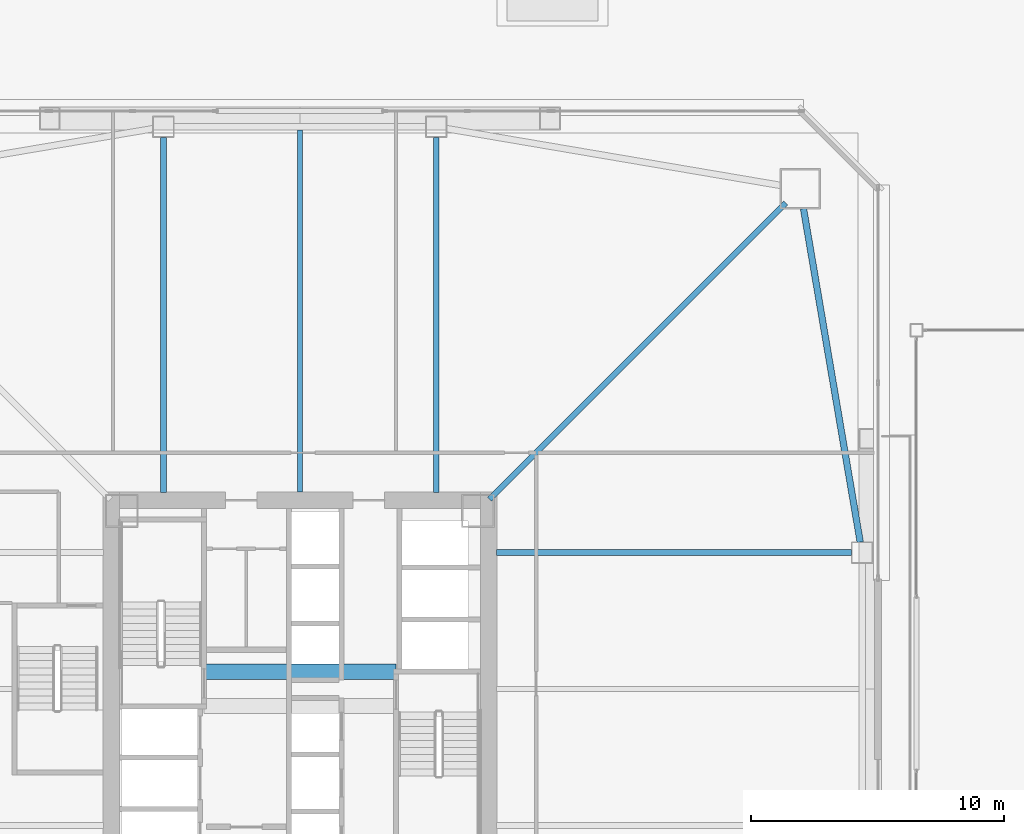
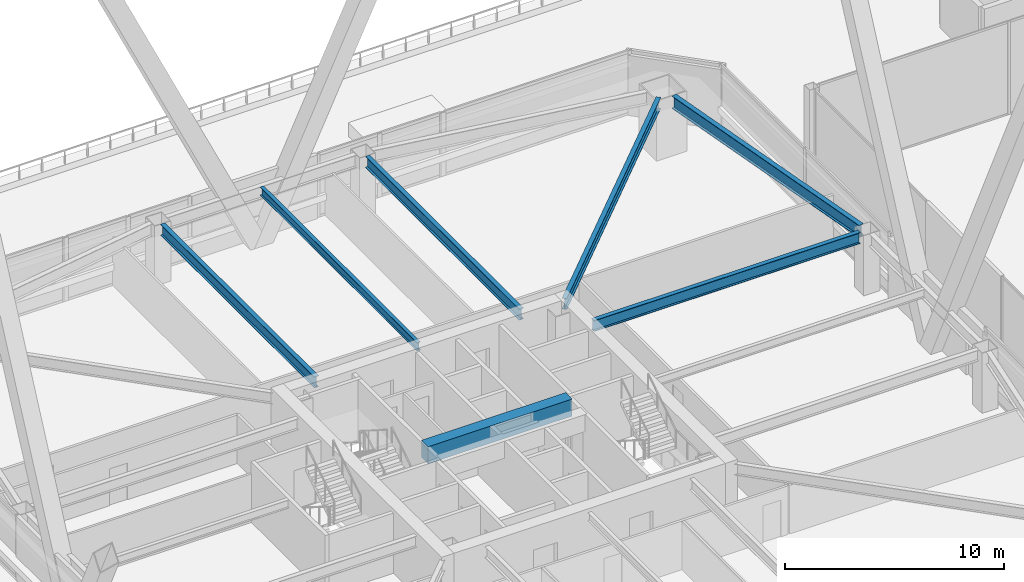
# One storey, part 17 of 83: 7 beams.
"""IFC4 building model written with IfcOpenShell, lengths in metres."""

from ifc_helpers import new_model, si_unit, direction, frame, origin, origin_2d, place, context, subcontext, project, spatial, rectangle, i_section, extrude, material, material_profile, profile_set, type_object, element, save


model = new_model("IFC4")

# Units and contexts
model_context = context("Model", 3, precision=1e-05, world=origin(), true_north=direction((0.0, 1.0)))
body_context = subcontext(model_context, "Body", "Model", "MODEL_VIEW")
ifc_project = project(units=[si_unit("LENGTHUNIT", "METRE"), si_unit("AREAUNIT", "SQUARE_METRE"), si_unit("VOLUMEUNIT", "CUBIC_METRE"), si_unit("PLANEANGLEUNIT", "RADIAN"), si_unit("MASSUNIT", "GRAM", prefix="KILO")], contexts=[model_context])

# Site, building, storey
site_placement = place(None, origin())
site = spatial("IfcSite", under=ifc_project, at=site_placement, CompositionType="ELEMENT")
building_placement = place(site_placement, origin())
building = spatial("IfcBuilding", under=site, at=building_placement, Name="Tashvorn Skyway Center", CompositionType="ELEMENT")
storey_placement = place(building_placement, frame((0.0, 0.0, 24.60009765625)))
storey = spatial("IfcBuildingStorey", under=building, at=storey_placement, Name="L05", CompositionType="ELEMENT", Elevation=24.60009765625)

# Beams
ifc_material_1 = material(Name="Steel ASTM A992 Grade 50", Category="steel")
ifc_material_profile_1 = material_profile(ifc_material_1, i_section(OverallWidth=0.22998046875, OverallDepth=0.616943359375, WebThickness=0.01318359375, FlangeThickness=0.022216796875, at=origin_2d()), Name="W24X94")
ifc_profile_set_1 = profile_set([ifc_material_profile_1], Name="Steel ASTM A992 Grade 50")
beam_type_1 = type_object("IfcBeamType", Name="BM-BEAM-W24X94", PredefinedType="BEAM", material=ifc_profile_set_1)
beam_1_placement = place(storey_placement, frame((61.23779296875, 51.23779296875, 3.04150390625), z_axis=(-0.707106781187, -0.707106781187, 0.0), x_axis=(0.707106781187, -0.707106781187, 0.0)))
element("IfcBeam", 1, at=beam_1_placement, inside=storey, type_object=beam_type_1, Name="Tower 1 L05 Primary Floor Girder MC-NE", PredefinedType="BEAM", context=body_context, shape_type="SweptSolid", body=[
    extrude(i_section(OverallWidth=0.22998046875, OverallDepth=0.616943359375, WebThickness=0.01318359375, FlangeThickness=0.022216796875, at=origin_2d()), origin(), (0.0, 0.0, 1.0), 16.591064453125),
])
for number, where, z_axis, x_axis, name in (
    (2, (63.830078125, 37.39990234375, 3.04150390625), (-1.0, 0.0, 0.0), (0.0, -1.0, 0.0), "Tower 1 L05 Primary Floor Girder FC-E2"),
    (3, (47.39990234375, 53.830078125, 3.04150390625), (0.0, -1.0, 0.0), (1.0, 0.0, 0.0), "Tower 1 L05 Primary Floor Girder FC-N1"),
    (4, (36.60009765625, 53.830078125, 3.04150390625), (0.0, -1.0, 0.0), (1.0, 0.0, 0.0), "Tower 1 L05 Primary Floor Girder FC-N2"),
):
    element("IfcBeam", number, at=place(storey_placement, frame(where, z_axis=z_axis, x_axis=x_axis)), inside=storey, type_object=beam_type_1, Name=name, PredefinedType="BEAM", context=body_context, shape_type="SweptSolid", body=[
        extrude(i_section(OverallWidth=0.22998046875, OverallDepth=0.616943359375, WebThickness=0.01318359375, FlangeThickness=0.022216796875, at=origin_2d()), origin(), (0.0, 0.0, 1.0), 14.050048828125),
    ])
ifc_material_profile_2 = material_profile(ifc_material_1, i_section(OverallWidth=0.19091796875, OverallDepth=0.4599609375, WebThickness=0.010009765625, FlangeThickness=0.01611328125, at=origin_2d()), Name="W18X55")
ifc_profile_set_2 = profile_set([ifc_material_profile_2], Name="Steel ASTM A992 Grade 50")
beam_type_2 = type_object("IfcBeamType", Name="BM-JOIST-W18X55", PredefinedType="JOIST", material=ifc_profile_set_2)
beam_2_placement = place(storey_placement, frame((42.0, 39.7900390625, 3.119873046875), z_axis=(0.0, 1.0, 0.0), x_axis=(-1.0, 0.0, 0.0)))
element("IfcBeam", 5, at=beam_2_placement, inside=storey, type_object=beam_type_2, Name="Tower 1 L05 Secondary Composite Joist JN", PredefinedType="JOIST", context=body_context, shape_type="SweptSolid", body=[
    extrude(i_section(OverallWidth=0.19091796875, OverallDepth=0.4599609375, WebThickness=0.010009765625, FlangeThickness=0.01611328125, at=origin_2d()), origin(), (0.0, 0.0, 1.0), 14.33984375),
])
ifc_material_2 = material(Name="Concrete C60/75", Category="concrete")
ifc_material_profile_3 = material_profile(ifc_material_2, rectangle(XDim=0.60009765625, YDim=0.949951171875, at=origin_2d()), Name="RCB600x950")
ifc_profile_set_3 = profile_set([ifc_material_profile_3], Name="Concrete C60/75")
beam_type_3 = type_object("IfcBeamType", Name="BM-LINTEL-RCB600x950", PredefinedType="LINTEL", material=ifc_profile_set_3)
beam_3_placement = place(storey_placement, frame((38.199951171875, 32.679931640625, 2.875), z_axis=(1.0, 0.0, 0.0), x_axis=(0.0, 1.0, 0.0)))
element("IfcBeam", 6, at=beam_3_placement, inside=storey, type_object=beam_type_3, Name="Tower 1 L05 Core Coupling Beam CN", PredefinedType="LINTEL", context=body_context, shape_type="SweptSolid", body=[
    extrude(rectangle(XDim=0.60009765625, YDim=0.949951171875, at=origin_2d()), origin(), (0.0, 0.0, 1.0), 7.60009765625),
])
ifc_material_profile_4 = material_profile(ifc_material_1, i_section(OverallWidth=0.256103515625, OverallDepth=0.693115234375, WebThickness=0.014404296875, FlangeThickness=0.023681640625, at=origin_2d()), Name="W27X114")
ifc_profile_set_4 = profile_set([ifc_material_profile_4], Name="Steel ASTM A992 Grade 50")
beam_type_4 = type_object("IfcBeamType", Name="BM-SPANDREL-W27X114", PredefinedType="SPANDREL", material=ifc_profile_set_4)
beam_4_placement = place(storey_placement, frame((64.179443359375, 37.81396484375, 3.00341796875), z_axis=(-0.16771792509, 0.985835025551, 0.0), x_axis=(-0.985835025551, -0.16771792509, 0.0)))
element("IfcBeam", 7, at=beam_4_placement, inside=storey, type_object=beam_type_4, Name="Tower 1 L05 Spandrel Beam 06", PredefinedType="SPANDREL", context=body_context, shape_type="SweptSolid", body=[
    extrude(i_section(OverallWidth=0.256103515625, OverallDepth=0.693115234375, WebThickness=0.014404296875, FlangeThickness=0.023681640625, at=origin_2d()), origin(), (0.0, 0.0, 1.0), 13.39208984375),
])

save(model, "model.ifc")
